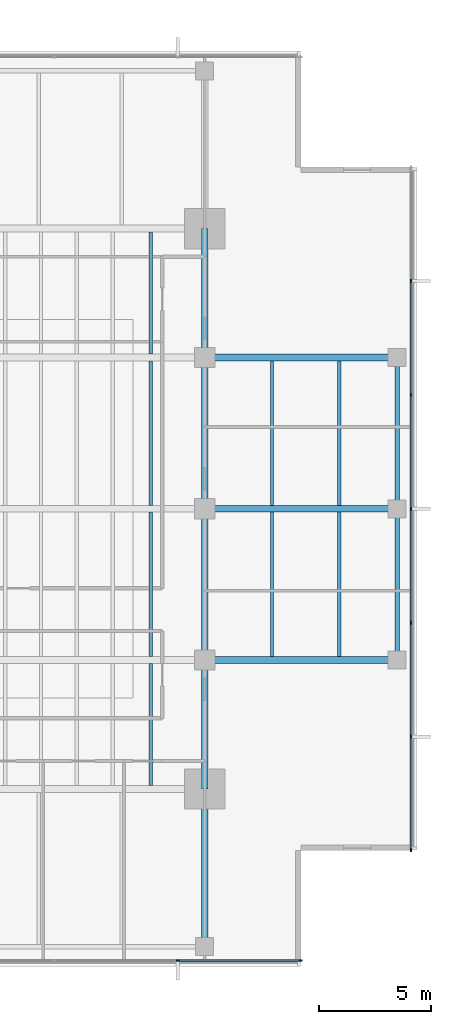
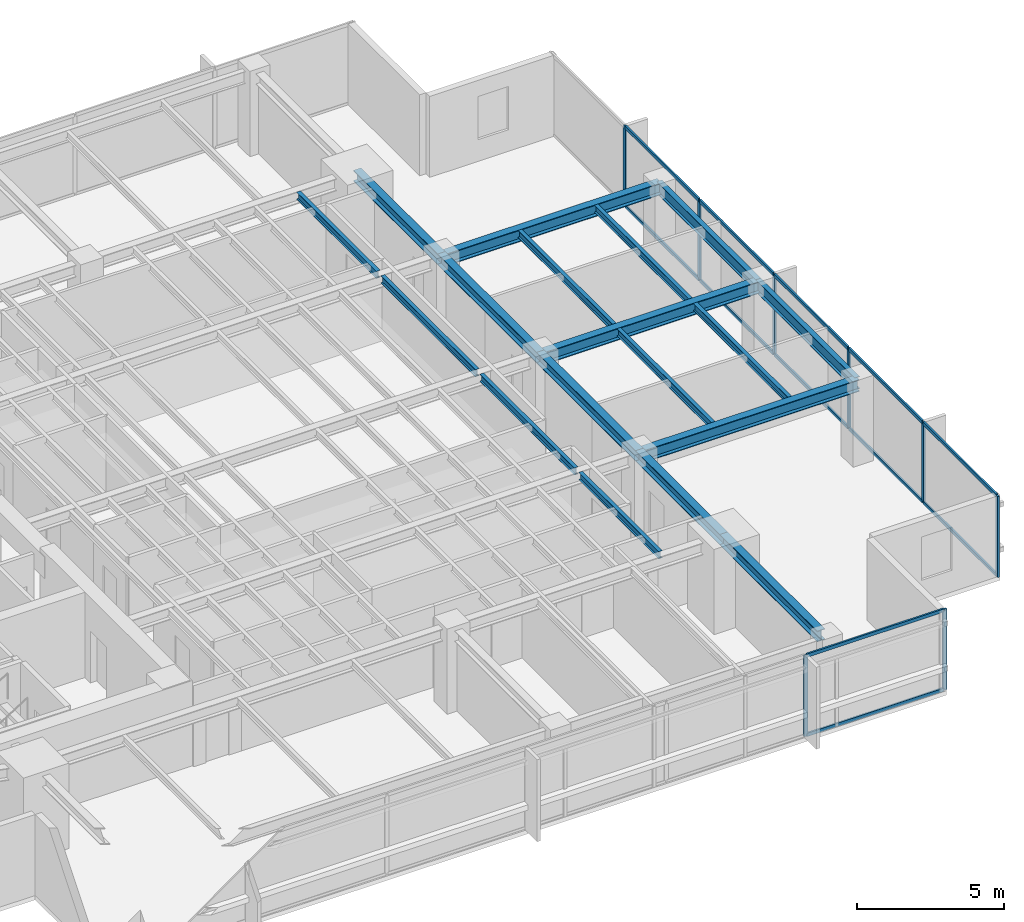
# One storey, part 4 of 14: 20 members, 18 beams, 2 elements without a shape of their own.
"""IFC4 building model written with IfcOpenShell, lengths in metres."""

from ifc_helpers import new_model, si_unit, direction, frame, origin, origin_2d, place, context, subcontext, project, spatial, rectangle, i_section, extrude, material, layer, layer_set, material_profile, profile_set, type_object, element, aggregate, save


model = new_model("IFC4")

# Units and contexts
model_context = context("Model", 3, precision=1e-05, world=origin(), true_north=direction((0.0, 1.0)))
body_context = subcontext(model_context, "Body", "Model", "MODEL_VIEW")
ifc_project = project(units=[si_unit("LENGTHUNIT", "METRE"), si_unit("AREAUNIT", "SQUARE_METRE"), si_unit("VOLUMEUNIT", "CUBIC_METRE"), si_unit("PLANEANGLEUNIT", "RADIAN"), si_unit("MASSUNIT", "GRAM", prefix="KILO")], contexts=[model_context])

# Site, building, storey
site_placement = place(None, origin())
site = spatial("IfcSite", under=ifc_project, at=site_placement, CompositionType="ELEMENT")
building_placement = place(site_placement, origin())
building = spatial("IfcBuilding", under=site, at=building_placement, Name="Kinhvarn Gate Tower", CompositionType="ELEMENT")
storey_placement = place(building_placement, frame((0.0, 0.0, 227.10009765625)))
storey = spatial("IfcBuildingStorey", under=building, at=storey_placement, Name="L60", CompositionType="ELEMENT", Elevation=227.10009765625)

# Curtain wall, members
ifc_material_1 = material(Name="Anodised aluminium AW-6063", Category="aluminium")
ifc_layer = layer(ifc_material_1, 0.179931640625)
ifc_layer_set = layer_set([ifc_layer], Name="Anodised aluminium AW-6063")
curtain_wall_type = type_object("IfcCurtainWallType", Name="CW-SYS-3", PredefinedType="NOTDEFINED", material=ifc_layer_set)
curtain_wall_1_placement = place(storey_placement, origin())
curtain_wall_1 = element("IfcCurtainWall", 1, at=curtain_wall_1_placement, inside=storey, type_object=curtain_wall_type, Name="Curtain Wall CW3 (L60)", PredefinedType="NOTDEFINED")
ifc_material_profile_1 = material_profile(ifc_material_1, rectangle(XDim=0.06494140625, YDim=0.159912109375, at=origin_2d()), Name="ALU 65x160")
ifc_profile_set_1 = profile_set([ifc_material_profile_1], Name="Anodised aluminium AW-6063")
member_type_1 = type_object("IfcMemberType", Name="CW-MUL-160", PredefinedType="MULLION", material=ifc_profile_set_1)
member_1_placement = place(storey_placement, frame((37.0, 5.090087890625, 0.0), z_axis=(0.0, 0.0, 1.0), x_axis=(0.0, 1.0, 0.0)))
member_1 = element("IfcMember", 2, at=member_1_placement, type_object=member_type_1, Name="CW3 mullion 6", PredefinedType="MULLION", context=body_context, shape_type="SweptSolid", body=[
    extrude(rectangle(XDim=0.06494140625, YDim=0.159912109375, at=origin_2d()), origin(), (0.0, 0.0, 1.0), 3.369873046875),
])
member_2_placement = place(storey_placement, frame((42.467529296875, 5.090087890625, 0.0), z_axis=(0.0, 0.0, 1.0), x_axis=(0.0, 1.0, 0.0)))
member_2 = element("IfcMember", 3, at=member_2_placement, type_object=member_type_1, Name="CW3 mullion 7", PredefinedType="MULLION", context=body_context, shape_type="SweptSolid", body=[
    extrude(rectangle(XDim=0.06494140625, YDim=0.159912109375, at=origin_2d()), origin(), (0.0, 0.0, 1.0), 3.369873046875),
])

curtain_wall_2_placement = place(storey_placement, origin())
curtain_wall_2 = element("IfcCurtainWall", 4, at=curtain_wall_2_placement, inside=storey, type_object=curtain_wall_type, Name="Curtain Wall CW3 (L60)", PredefinedType="NOTDEFINED")
member_3_placement = place(storey_placement, frame((47.409912109375, 10.032470703125, 0.0), z_axis=(0.0, 0.0, 1.0), x_axis=(-1.0, 0.0, 0.0)))
member_3 = element("IfcMember", 5, at=member_3_placement, type_object=member_type_1, Name="CW3 mullion 1", PredefinedType="MULLION", context=body_context, shape_type="SweptSolid", body=[
    extrude(rectangle(XDim=0.06494140625, YDim=0.159912109375, at=origin_2d()), origin(), (0.0, 0.0, 1.0), 3.369873046875),
])
member_4_placement = place(storey_placement, frame((47.409912109375, 15.083251953125, 0.0), z_axis=(0.0, 0.0, 1.0), x_axis=(-1.0, 0.0, 0.0)))
member_4 = element("IfcMember", 6, at=member_4_placement, type_object=member_type_1, Name="CW3 mullion 2", PredefinedType="MULLION", context=body_context, shape_type="SweptSolid", body=[
    extrude(rectangle(XDim=0.06494140625, YDim=0.159912109375, at=origin_2d()), origin(), (0.0, 0.0, 1.0), 3.369873046875),
])
member_5_placement = place(storey_placement, frame((47.409912109375, 20.166748046875, 0.0), z_axis=(0.0, 0.0, 1.0), x_axis=(-1.0, 0.0, 0.0)))
member_5 = element("IfcMember", 7, at=member_5_placement, type_object=member_type_1, Name="CW3 mullion 3", PredefinedType="MULLION", context=body_context, shape_type="SweptSolid", body=[
    extrude(rectangle(XDim=0.06494140625, YDim=0.159912109375, at=origin_2d()), origin(), (0.0, 0.0, 1.0), 3.369873046875),
])
member_6_placement = place(storey_placement, frame((47.409912109375, 25.25, 0.0), z_axis=(0.0, 0.0, 1.0), x_axis=(-1.0, 0.0, 0.0)))
member_6 = element("IfcMember", 8, at=member_6_placement, type_object=member_type_1, Name="CW3 mullion 4", PredefinedType="MULLION", context=body_context, shape_type="SweptSolid", body=[
    extrude(rectangle(XDim=0.06494140625, YDim=0.159912109375, at=origin_2d()), origin(), (0.0, 0.0, 1.0), 3.369873046875),
])
member_7_placement = place(storey_placement, frame((47.409912109375, 30.333251953125, 0.0), z_axis=(0.0, 0.0, 1.0), x_axis=(-1.0, 0.0, 0.0)))
member_7 = element("IfcMember", 9, at=member_7_placement, type_object=member_type_1, Name="CW3 mullion 5", PredefinedType="MULLION", context=body_context, shape_type="SweptSolid", body=[
    extrude(rectangle(XDim=0.06494140625, YDim=0.159912109375, at=origin_2d()), origin(), (0.0, 0.0, 1.0), 3.369873046875),
])
member_8_placement = place(storey_placement, frame((47.409912109375, 35.416748046875, 0.0), z_axis=(0.0, 0.0, 1.0), x_axis=(-1.0, 0.0, 0.0)))
member_8 = element("IfcMember", 10, at=member_8_placement, type_object=member_type_1, Name="CW3 mullion 6", PredefinedType="MULLION", context=body_context, shape_type="SweptSolid", body=[
    extrude(rectangle(XDim=0.06494140625, YDim=0.159912109375, at=origin_2d()), origin(), (0.0, 0.0, 1.0), 3.369873046875),
])

# Member
ifc_material_profile_2 = material_profile(ifc_material_1, rectangle(XDim=0.070068359375, YDim=0.139892578125, at=origin_2d()), Name="ALU 70x140")
ifc_profile_set_2 = profile_set([ifc_material_profile_2], Name="Anodised aluminium AW-6063")
member_type_2 = type_object("IfcMemberType", Name="CW-TRN-140", PredefinedType="USERDEFINED", material=ifc_profile_set_2)
member_9_placement = place(storey_placement, frame((37.032470703125, 5.090087890625, 0.034912109375), z_axis=(1.0, 0.0, 0.0), x_axis=(0.0, 1.0, 0.0)))
member_9 = element("IfcMember", 11, at=member_9_placement, type_object=member_type_2, Name="CW3 transom 6.1", ObjectType="TRANSOM", PredefinedType="USERDEFINED", context=body_context, shape_type="SweptSolid", body=[
    extrude(rectangle(XDim=0.070068359375, YDim=0.139892578125, at=origin_2d()), origin(), (0.0, 0.0, 1.0), 5.402587890625),
])

member_10_placement = place(storey_placement, frame((37.032470703125, 5.090087890625, 3.3349609375), z_axis=(1.0, 0.0, 0.0), x_axis=(0.0, 1.0, 0.0)))
member_10 = element("IfcMember", 12, at=member_10_placement, type_object=member_type_2, Name="CW3 transom 6.2", ObjectType="TRANSOM", PredefinedType="USERDEFINED", context=body_context, shape_type="SweptSolid", body=[
    extrude(rectangle(XDim=0.070068359375, YDim=0.139892578125, at=origin_2d()), origin(), (0.0, 0.0, 1.0), 5.402587890625),
])

aggregate(curtain_wall_1, [member_1, member_2, member_9, member_10])

member_11_placement = place(storey_placement, frame((47.409912109375, 10.06494140625, 0.034912109375), z_axis=(0.0, 1.0, 0.0), x_axis=(-1.0, 0.0, 0.0)))
member_11 = element("IfcMember", 13, at=member_11_placement, type_object=member_type_2, Name="CW3 transom 1.1", ObjectType="TRANSOM", PredefinedType="USERDEFINED", context=body_context, shape_type="SweptSolid", body=[
    extrude(rectangle(XDim=0.070068359375, YDim=0.139892578125, at=origin_2d()), origin(), (0.0, 0.0, 1.0), 4.98583984375),
])

member_12_placement = place(storey_placement, frame((47.409912109375, 10.06494140625, 3.3349609375), z_axis=(0.0, 1.0, 0.0), x_axis=(-1.0, 0.0, 0.0)))
member_12 = element("IfcMember", 14, at=member_12_placement, type_object=member_type_2, Name="CW3 transom 1.2", ObjectType="TRANSOM", PredefinedType="USERDEFINED", context=body_context, shape_type="SweptSolid", body=[
    extrude(rectangle(XDim=0.070068359375, YDim=0.139892578125, at=origin_2d()), origin(), (0.0, 0.0, 1.0), 4.98583984375),
])

member_13_placement = place(storey_placement, frame((47.409912109375, 15.11572265625, 0.034912109375), z_axis=(0.0, 1.0, 0.0), x_axis=(-1.0, 0.0, 0.0)))
member_13 = element("IfcMember", 15, at=member_13_placement, type_object=member_type_2, Name="CW3 transom 2.1", ObjectType="TRANSOM", PredefinedType="USERDEFINED", context=body_context, shape_type="SweptSolid", body=[
    extrude(rectangle(XDim=0.070068359375, YDim=0.139892578125, at=origin_2d()), origin(), (0.0, 0.0, 1.0), 5.0185546875),
])

member_14_placement = place(storey_placement, frame((47.409912109375, 15.11572265625, 3.3349609375), z_axis=(0.0, 1.0, 0.0), x_axis=(-1.0, 0.0, 0.0)))
member_14 = element("IfcMember", 16, at=member_14_placement, type_object=member_type_2, Name="CW3 transom 2.2", ObjectType="TRANSOM", PredefinedType="USERDEFINED", context=body_context, shape_type="SweptSolid", body=[
    extrude(rectangle(XDim=0.070068359375, YDim=0.139892578125, at=origin_2d()), origin(), (0.0, 0.0, 1.0), 5.0185546875),
])

member_15_placement = place(storey_placement, frame((47.409912109375, 20.19921875, 0.034912109375), z_axis=(0.0, 1.0, 0.0), x_axis=(-1.0, 0.0, 0.0)))
member_15 = element("IfcMember", 17, at=member_15_placement, type_object=member_type_2, Name="CW3 transom 3.1", ObjectType="TRANSOM", PredefinedType="USERDEFINED", context=body_context, shape_type="SweptSolid", body=[
    extrude(rectangle(XDim=0.070068359375, YDim=0.139892578125, at=origin_2d()), origin(), (0.0, 0.0, 1.0), 5.018310546875),
])

member_16_placement = place(storey_placement, frame((47.409912109375, 20.19921875, 3.3349609375), z_axis=(0.0, 1.0, 0.0), x_axis=(-1.0, 0.0, 0.0)))
member_16 = element("IfcMember", 18, at=member_16_placement, type_object=member_type_2, Name="CW3 transom 3.2", ObjectType="TRANSOM", PredefinedType="USERDEFINED", context=body_context, shape_type="SweptSolid", body=[
    extrude(rectangle(XDim=0.070068359375, YDim=0.139892578125, at=origin_2d()), origin(), (0.0, 0.0, 1.0), 5.018310546875),
])

member_17_placement = place(storey_placement, frame((47.409912109375, 25.282470703125, 0.034912109375), z_axis=(0.0, 1.0, 0.0), x_axis=(-1.0, 0.0, 0.0)))
member_17 = element("IfcMember", 19, at=member_17_placement, type_object=member_type_2, Name="CW3 transom 4.1", ObjectType="TRANSOM", PredefinedType="USERDEFINED", context=body_context, shape_type="SweptSolid", body=[
    extrude(rectangle(XDim=0.070068359375, YDim=0.139892578125, at=origin_2d()), origin(), (0.0, 0.0, 1.0), 5.018310546875),
])

member_18_placement = place(storey_placement, frame((47.409912109375, 25.282470703125, 3.3349609375), z_axis=(0.0, 1.0, 0.0), x_axis=(-1.0, 0.0, 0.0)))
member_18 = element("IfcMember", 20, at=member_18_placement, type_object=member_type_2, Name="CW3 transom 4.2", ObjectType="TRANSOM", PredefinedType="USERDEFINED", context=body_context, shape_type="SweptSolid", body=[
    extrude(rectangle(XDim=0.070068359375, YDim=0.139892578125, at=origin_2d()), origin(), (0.0, 0.0, 1.0), 5.018310546875),
])

member_19_placement = place(storey_placement, frame((47.409912109375, 30.36572265625, 0.034912109375), z_axis=(0.0, 1.0, 0.0), x_axis=(-1.0, 0.0, 0.0)))
member_19 = element("IfcMember", 21, at=member_19_placement, type_object=member_type_2, Name="CW3 transom 5.1", ObjectType="TRANSOM", PredefinedType="USERDEFINED", context=body_context, shape_type="SweptSolid", body=[
    extrude(rectangle(XDim=0.070068359375, YDim=0.139892578125, at=origin_2d()), origin(), (0.0, 0.0, 1.0), 5.0185546875),
])

member_20_placement = place(storey_placement, frame((47.409912109375, 30.36572265625, 3.3349609375), z_axis=(0.0, 1.0, 0.0), x_axis=(-1.0, 0.0, 0.0)))
member_20 = element("IfcMember", 22, at=member_20_placement, type_object=member_type_2, Name="CW3 transom 5.2", ObjectType="TRANSOM", PredefinedType="USERDEFINED", context=body_context, shape_type="SweptSolid", body=[
    extrude(rectangle(XDim=0.070068359375, YDim=0.139892578125, at=origin_2d()), origin(), (0.0, 0.0, 1.0), 5.0185546875),
])

aggregate(curtain_wall_2, [member_3, member_4, member_5, member_6, member_7, member_8, member_11, member_12, member_13, member_14, member_15, member_16, member_17, member_18, member_19, member_20])

# Beams
ifc_material_2 = material(Name="Steel S355", Category="steel")
ifc_material_profile_3 = material_profile(ifc_material_2, i_section(OverallWidth=0.300048828125, OverallDepth=0.449951171875, WebThickness=0.013916015625, FlangeThickness=0.02587890625, at=origin_2d()), Name="HEB 450")
ifc_profile_set_3 = profile_set([ifc_material_profile_3], Name="Steel S355")
beam_type_1 = type_object("IfcBeamType", Name="STL-HEB450", PredefinedType="BEAM", material=ifc_profile_set_3)
beam_1_placement = place(storey_placement, frame((38.199951171875, 6.10498046875, 3.14501953125), z_axis=(0.0, 1.0, 0.0), x_axis=(-1.0, 0.0, 0.0)))
element("IfcBeam", 23, at=beam_1_placement, inside=storey, type_object=beam_type_1, Name="Floor Beam PG-13 (L60 MCE-S)", PredefinedType="BEAM", context=body_context, shape_type="SweptSolid", body=[
    extrude(i_section(OverallWidth=0.300048828125, OverallDepth=0.449951171875, WebThickness=0.013916015625, FlangeThickness=0.02587890625, at=origin_2d()), origin(), (0.0, 0.0, 1.0), 6.64501953125),
])
beam_2_placement = place(storey_placement, frame((38.199951171875, 12.75, 3.14501953125), z_axis=(0.0, 1.0, 0.0), x_axis=(-1.0, 0.0, 0.0)))
element("IfcBeam", 24, at=beam_2_placement, inside=storey, type_object=beam_type_1, Name="Floor Beam PG-13 (L60 MG-E-12)", PredefinedType="BEAM", context=body_context, shape_type="SweptSolid", body=[
    extrude(i_section(OverallWidth=0.300048828125, OverallDepth=0.449951171875, WebThickness=0.013916015625, FlangeThickness=0.02587890625, at=origin_2d()), origin(), (0.0, 0.0, 1.0), 5.75),
])
for number, where, z_axis, x_axis, name in (
    (25, (38.199951171875, 18.5, 3.14501953125), (0.0, 1.0, 0.0), (-1.0, 0.0, 0.0), "Floor Beam PG-13 (L60 MG-E-18)"),
    (26, (38.199951171875, 25.25, 3.14501953125), (0.0, 1.0, 0.0), (-1.0, 0.0, 0.0), "Floor Beam PG-13 (L60 MG-E-25)"),
):
    element("IfcBeam", number, at=place(storey_placement, frame(where, z_axis=z_axis, x_axis=x_axis)), inside=storey, type_object=beam_type_1, Name=name, PredefinedType="BEAM", context=body_context, shape_type="SweptSolid", body=[
        extrude(i_section(OverallWidth=0.300048828125, OverallDepth=0.449951171875, WebThickness=0.013916015625, FlangeThickness=0.02587890625, at=origin_2d()), origin(), (0.0, 0.0, 1.0), 6.75),
    ])
beam_3_placement = place(storey_placement, frame((38.199951171875, 32.0, 3.14501953125), z_axis=(0.0, 1.0, 0.0), x_axis=(-1.0, 0.0, 0.0)))
element("IfcBeam", 27, at=beam_3_placement, inside=storey, type_object=beam_type_1, Name="Floor Beam PG-13 (L60 MG-E-32)", PredefinedType="BEAM", context=body_context, shape_type="SweptSolid", body=[
    extrude(i_section(OverallWidth=0.300048828125, OverallDepth=0.449951171875, WebThickness=0.013916015625, FlangeThickness=0.02587890625, at=origin_2d()), origin(), (0.0, 0.0, 1.0), 5.75),
])
ifc_material_profile_4 = material_profile(ifc_material_2, i_section(OverallWidth=0.300048828125, OverallDepth=0.5, WebThickness=0.014404296875, FlangeThickness=0.028076171875, at=origin_2d()), Name="HEB 500")
ifc_profile_set_4 = profile_set([ifc_material_profile_4], Name="Steel S355")
beam_type_2 = type_object("IfcBeamType", Name="STL-HEB500", PredefinedType="BEAM", material=ifc_profile_set_4)
for number, where, z_axis, x_axis, name in (
    (28, (38.199951171875, 18.5, 3.119873046875), (1.0, 0.0, 0.0), (0.0, 1.0, 0.0), "Floor Beam PG-14 (L60 EW2-Y18)"),
    (29, (38.199951171875, 25.25, 3.119873046875), (1.0, 0.0, 0.0), (0.0, 1.0, 0.0), "Floor Beam PG-14 (L60 EW2-Y25)"),
    (30, (38.199951171875, 32.0, 3.119873046875), (1.0, 0.0, 0.0), (0.0, 1.0, 0.0), "Floor Beam PG-14 (L60 EW2-Y32)"),
):
    element("IfcBeam", number, at=place(storey_placement, frame(where, z_axis=z_axis, x_axis=x_axis)), inside=storey, type_object=beam_type_2, Name=name, PredefinedType="BEAM", context=body_context, shape_type="SweptSolid", body=[
        extrude(i_section(OverallWidth=0.300048828125, OverallDepth=0.5, WebThickness=0.014404296875, FlangeThickness=0.028076171875, at=origin_2d()), origin(), (0.0, 0.0, 1.0), 8.580078125),
    ])
ifc_material_profile_5 = material_profile(ifc_material_2, i_section(OverallWidth=0.14990234375, OverallDepth=0.300048828125, WebThickness=0.007080078125, FlangeThickness=0.0107421875, at=origin_2d()), Name="IPE 300")
ifc_profile_set_5 = profile_set([ifc_material_profile_5], Name="Steel S355")
beam_type_3 = type_object("IfcBeamType", Name="STL-IPE300", PredefinedType="JOIST", material=ifc_profile_set_5)
beam_4_placement = place(storey_placement, frame((35.800048828125, 12.89990234375, 3.219970703125), z_axis=(0.0, 1.0, 0.0), x_axis=(-1.0, 0.0, 0.0)))
element("IfcBeam", 31, at=beam_4_placement, inside=storey, type_object=beam_type_3, Name="Floor Joist SB-02 (L60 JC-X358-0)", PredefinedType="JOIST", context=body_context, shape_type="SweptSolid", body=[
    extrude(i_section(OverallWidth=0.14990234375, OverallDepth=0.300048828125, WebThickness=0.007080078125, FlangeThickness=0.0107421875, at=origin_2d()), origin(), (0.0, 0.0, 1.0), 5.4501953125),
])
for number, where, z_axis, x_axis, name in (
    (32, (35.800048828125, 18.64990234375, 3.219970703125), (0.0, 1.0, 0.0), (-1.0, 0.0, 0.0), "Floor Joist SB-02 (L60 JC-X358-1)"),
    (33, (35.800048828125, 25.39990234375, 3.219970703125), (0.0, 1.0, 0.0), (-1.0, 0.0, 0.0), "Floor Joist SB-02 (L60 JC-X358-2)"),
):
    element("IfcBeam", number, at=place(storey_placement, frame(where, z_axis=z_axis, x_axis=x_axis)), inside=storey, type_object=beam_type_3, Name=name, PredefinedType="JOIST", context=body_context, shape_type="SweptSolid", body=[
        extrude(i_section(OverallWidth=0.14990234375, OverallDepth=0.300048828125, WebThickness=0.007080078125, FlangeThickness=0.0107421875, at=origin_2d()), origin(), (0.0, 0.0, 1.0), 6.4501953125),
    ])
beam_5_placement = place(storey_placement, frame((35.800048828125, 32.14990234375, 3.219970703125), z_axis=(0.0, 1.0, 0.0), x_axis=(-1.0, 0.0, 0.0)))
element("IfcBeam", 34, at=beam_5_placement, inside=storey, type_object=beam_type_3, Name="Floor Joist SB-02 (L60 JC-X358-3)", PredefinedType="JOIST", context=body_context, shape_type="SweptSolid", body=[
    extrude(i_section(OverallWidth=0.14990234375, OverallDepth=0.300048828125, WebThickness=0.007080078125, FlangeThickness=0.0107421875, at=origin_2d()), origin(), (0.0, 0.0, 1.0), 5.4501953125),
])
for number, where, z_axis, x_axis, name in (
    (35, (41.199951171875, 18.64990234375, 3.219970703125), (0.0, 1.0, 0.0), (-1.0, 0.0, 0.0), "Floor Joist SB-02 (L60 JC-X412-1)"),
    (36, (41.199951171875, 25.39990234375, 3.219970703125), (0.0, 1.0, 0.0), (-1.0, 0.0, 0.0), "Floor Joist SB-02 (L60 JC-X412-2)"),
    (37, (44.2099609375, 18.64990234375, 3.219970703125), (0.0, 1.0, 0.0), (-1.0, 0.0, 0.0), "Floor Joist SB-02 (L60 JC-X442-1)"),
    (38, (44.2099609375, 25.39990234375, 3.219970703125), (0.0, 1.0, 0.0), (-1.0, 0.0, 0.0), "Floor Joist SB-02 (L60 JC-X442-2)"),
):
    element("IfcBeam", number, at=place(storey_placement, frame(where, z_axis=z_axis, x_axis=x_axis)), inside=storey, type_object=beam_type_3, Name=name, PredefinedType="JOIST", context=body_context, shape_type="SweptSolid", body=[
        extrude(i_section(OverallWidth=0.14990234375, OverallDepth=0.300048828125, WebThickness=0.007080078125, FlangeThickness=0.0107421875, at=origin_2d()), origin(), (0.0, 0.0, 1.0), 6.4501953125),
    ])
ifc_material_profile_6 = material_profile(ifc_material_2, i_section(OverallWidth=0.199951171875, OverallDepth=0.5, WebThickness=0.01025390625, FlangeThickness=0.01611328125, at=origin_2d()), Name="IPE 500")
ifc_profile_set_6 = profile_set([ifc_material_profile_6], Name="Steel S355")
beam_type_4 = type_object("IfcBeamType", Name="STL-IPE500", PredefinedType="SPANDREL", material=ifc_profile_set_6)
for number, where, z_axis, x_axis, name in (
    (39, (46.780029296875, 18.5, 3.119873046875), (0.0, 1.0, 0.0), (-1.0, 0.0, 0.0), "Floor Spandrel SB-07 (L60 SP-E2)"),
    (40, (46.780029296875, 25.25, 3.119873046875), (0.0, 1.0, 0.0), (-1.0, 0.0, 0.0), "Floor Spandrel SB-07 (L60 SP-E3)"),
):
    element("IfcBeam", number, at=place(storey_placement, frame(where, z_axis=z_axis, x_axis=x_axis)), inside=storey, type_object=beam_type_4, Name=name, PredefinedType="SPANDREL", context=body_context, shape_type="SweptSolid", body=[
        extrude(i_section(OverallWidth=0.199951171875, OverallDepth=0.5, WebThickness=0.01025390625, FlangeThickness=0.01611328125, at=origin_2d()), origin(), (0.0, 0.0, 1.0), 6.75),
    ])

save(model, "model.ifc")
